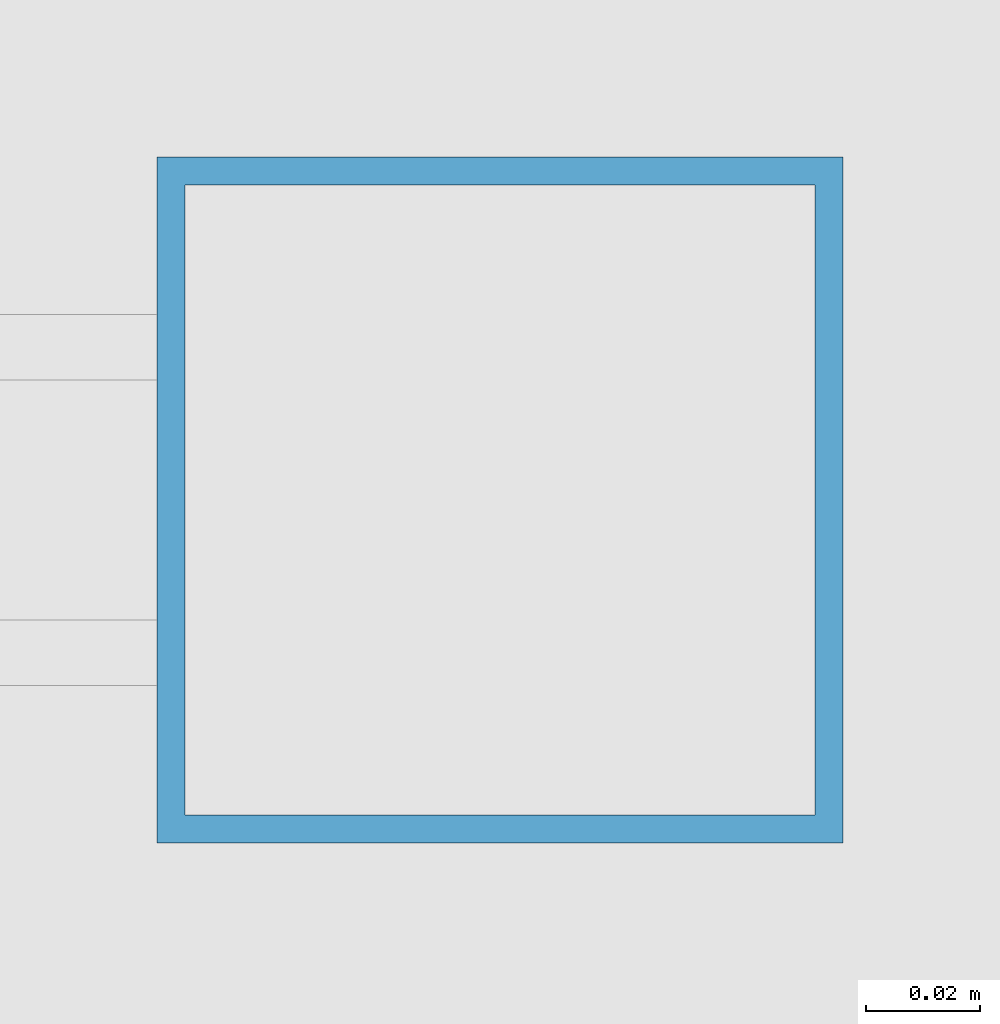
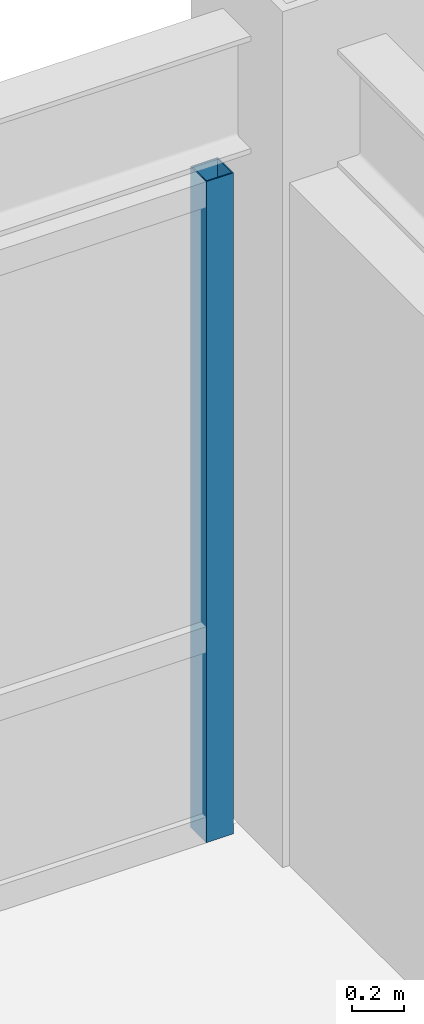
# One storey, part 22 of 29: 1 member, 1 element without a shape of its own.
"""IFC4 building model written with IfcOpenShell, lengths in metres."""

from ifc_helpers import new_model, si_unit, direction, frame, origin, origin_2d, place, context, subcontext, project, spatial, hollow_rectangle, extrude, source, transform, mapped, material, material_profile, profile_set, type_object, element, aggregate, save


model = new_model("IFC4")

# Units and contexts
model_context = context("Model", 3, precision=1e-05, world=origin(), true_north=direction((0.0, 1.0)))
body_context = subcontext(model_context, "Body", "Model", "MODEL_VIEW")
ifc_project = project(units=[si_unit("LENGTHUNIT", "METRE"), si_unit("AREAUNIT", "SQUARE_METRE"), si_unit("VOLUMEUNIT", "CUBIC_METRE"), si_unit("PLANEANGLEUNIT", "RADIAN"), si_unit("MASSUNIT", "GRAM", prefix="KILO")], contexts=[model_context])

# Site, building, storey
site_placement = place(None, origin())
site = spatial("IfcSite", under=ifc_project, at=site_placement, CompositionType="ELEMENT")
building_placement = place(site_placement, origin())
building = spatial("IfcBuilding", under=site, at=building_placement, Name="Khorayat Bourse Tower", CompositionType="ELEMENT")
storey_placement = place(building_placement, frame((0.0, 0.0, 366.300048828125)))
storey = spatial("IfcBuildingStorey", under=building, at=storey_placement, Name="L87", CompositionType="ELEMENT", Elevation=366.300048828125)

# Curtain wall, member
ifc_material = material(Name="Aluminium EN AW-6063 T6", Category="aluminium")
curtain_wall_type = type_object("IfcCurtainWallType", Name="CW-SYS-04", PredefinedType="NOTDEFINED", material=ifc_material)
curtain_wall_placement = place(storey_placement, origin())
curtain_wall = element("IfcCurtainWall", 1, at=curtain_wall_placement, inside=storey, type_object=curtain_wall_type, Name="L87 Curtain Wall CW-L87-N1", PredefinedType="NOTDEFINED")
ifc_material_profile = material_profile(ifc_material, hollow_rectangle(XDim=0.1201171875, YDim=0.1201171875, WallThickness=0.0048828125, at=origin_2d()), Name="ALU 120x120x5")
ifc_profile_set = profile_set([ifc_material_profile], Name="Aluminium EN AW-6063 T6")
member_type = type_object("IfcMemberType", Name="CWM-VERT-120", PredefinedType="MULLION", material=ifc_profile_set)
shared_shape = source(origin(), body_context, "Body", "SweptSolid", [
    extrude(hollow_rectangle(XDim=0.1201171875, YDim=0.1201171875, WallThickness=0.0048828125, at=origin_2d()), origin(), (0.0, 0.0, 1.0), 3.08984375),
])
member_placement = place(storey_placement, frame((19.5400390625, 26.0, 0.0), z_axis=(0.0, 0.0, 1.0), x_axis=(0.0, 1.0, 0.0)))
member = element("IfcMember", 2, at=member_placement, type_object=member_type, Name="CW-L87-N1 Vertical Mullion 3", PredefinedType="MULLION", context=body_context, shape_type="MappedRepresentation", body=[
    mapped(shared_shape, transform((0.0, 0.0, 0.0), scale=1.0)),
])
aggregate(curtain_wall, [member])

save(model, "model.ifc")
